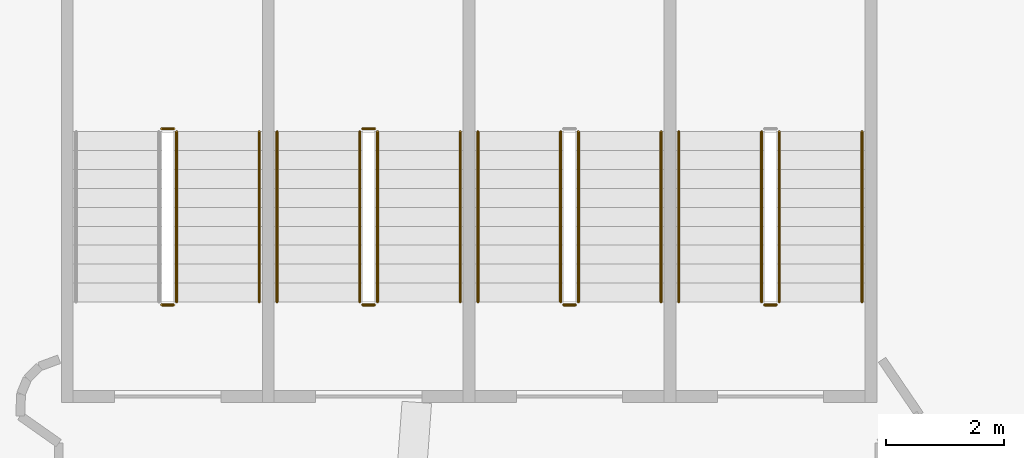
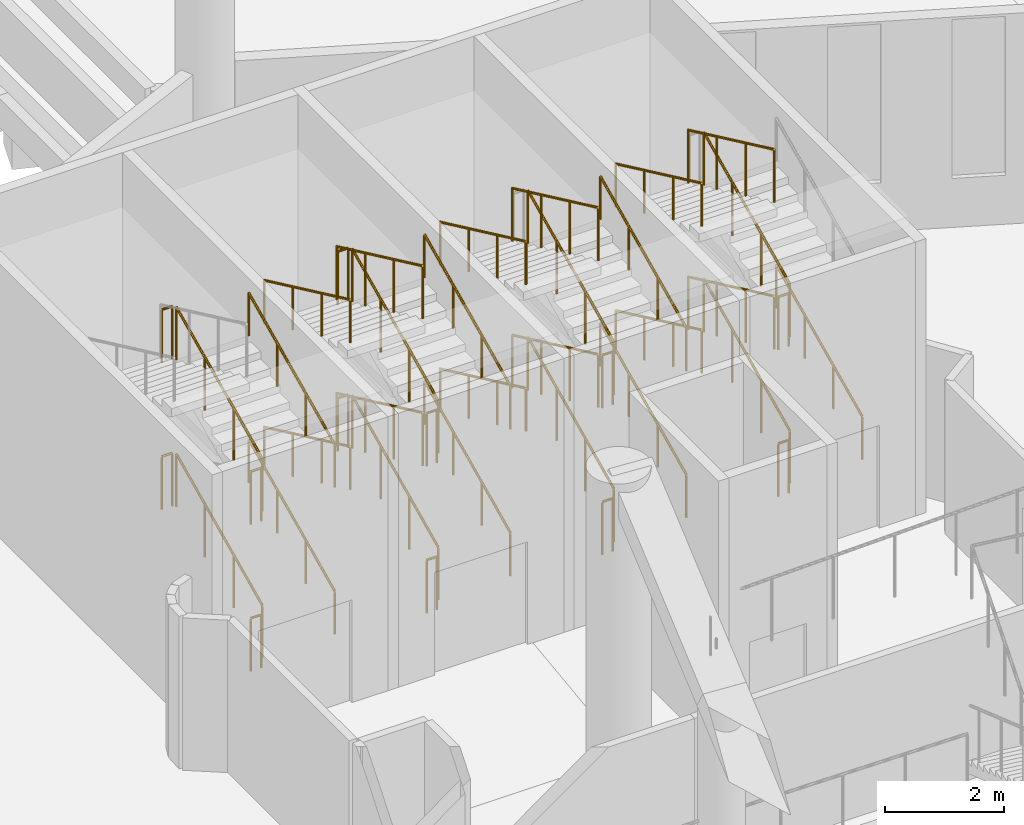
# One storey, part 158 of 173: 39 railings.
"""IFC4 building model written with IfcOpenShell, lengths in metres."""

from ifc_helpers import new_model, si_unit, direction, frame, origin, origin_2d, place, context, subcontext, project, spatial, circle, extrude, material, type_object, element, save


model = new_model("IFC4")

# Units and contexts
model_context = context("Model", 3, precision=1e-05, world=origin(), true_north=direction((0.0, 1.0)))
body_context = subcontext(model_context, "Body", "Model", "MODEL_VIEW")
ifc_project = project(units=[si_unit("LENGTHUNIT", "METRE"), si_unit("AREAUNIT", "SQUARE_METRE"), si_unit("VOLUMEUNIT", "CUBIC_METRE"), si_unit("PLANEANGLEUNIT", "RADIAN"), si_unit("MASSUNIT", "GRAM", prefix="KILO")], contexts=[model_context])

# Site, building, storey
site_placement = place(None, origin())
site = spatial("IfcSite", under=ifc_project, at=site_placement, CompositionType="ELEMENT")
building_placement = place(site_placement, origin())
building = spatial("IfcBuilding", under=site, at=building_placement, Name="Meseta Stadium", CompositionType="ELEMENT")
storey_placement = place(building_placement, frame((0.0, 0.0, 18.0)))
storey = spatial("IfcBuildingStorey", under=building, at=storey_placement, Name="L03", CompositionType="ELEMENT", Elevation=18.0)

# Railings
ifc_material_1 = material(Name="Steel S355", Category="steel")
railing_type_1 = type_object("IfcRailingType", Name="Stair guard 1100", PredefinedType="GUARDRAIL", material=ifc_material_1)
railing_1_placement = place(storey_placement, frame((12.916748046875, 94.89990234375, 0.14990234375)))
element("IfcRailing", 1, at=railing_1_placement, inside=storey, type_object=railing_type_1, Name="ST37 L03 guard 1", PredefinedType="GUARDRAIL", context=body_context, shape_type="SweptSolid", body=[
    extrude(circle(Radius=0.02392578125, at=origin_2d()), frame((0.0, 0.0, 1.076171875), z_axis=(0.0, 0.905454327043, 0.424443708447), x_axis=(-1.0, 0.0, 0.0)), (0.0, 0.0, 1.0), 3.180908203125),
    extrude(circle(Radius=0.02099609375, at=origin_2d()), origin(), (0.0, 0.0, 1.0), 1.052001953125),
    extrude(circle(Radius=0.02099609375, at=origin_2d()), frame((0.0, 0.9599609375, 0.449951171875)), (0.0, 0.0, 1.0), 1.052001953125),
    extrude(circle(Radius=0.02099609375, at=origin_2d()), frame((0.0, 1.920166015625, 0.900146484375)), (0.0, 0.0, 1.0), 1.052001953125),
    extrude(circle(Radius=0.02099609375, at=origin_2d()), frame((0.0, 2.880126953125, 1.35009765625)), (0.0, 0.0, 1.0), 1.052001953125),
])
railing_2_placement = place(storey_placement, frame((12.61669921875, 97.780029296875, 1.64990234375)))
element("IfcRailing", 2, at=railing_2_placement, inside=storey, type_object=railing_type_1, Name="ST37 L03 guard 3", PredefinedType="GUARDRAIL", context=body_context, shape_type="SweptSolid", body=[
    extrude(circle(Radius=0.02392578125, at=origin_2d()), frame((0.0, 0.0, 1.076171875), z_axis=(0.0, -0.905454327043, 0.424443708447), x_axis=(1.0, 0.0, 0.0)), (0.0, 0.0, 1.0), 3.180908203125),
    extrude(circle(Radius=0.02099609375, at=origin_2d()), origin(), (0.0, 0.0, 1.0), 1.052001953125),
    extrude(circle(Radius=0.02099609375, at=origin_2d()), frame((0.0, -0.9599609375, 0.449951171875)), (0.0, 0.0, 1.0), 1.052001953125),
    extrude(circle(Radius=0.02099609375, at=origin_2d()), frame((0.0, -1.920166015625, 0.900146484375)), (0.0, 0.0, 1.0), 1.052001953125),
    extrude(circle(Radius=0.02099609375, at=origin_2d()), frame((0.0, -2.880126953125, 1.35009765625)), (0.0, 0.0, 1.0), 1.052001953125),
])
railing_3_placement = place(storey_placement, frame((12.86669921875, 94.85009765625, 3.0)))
element("IfcRailing", 3, at=railing_3_placement, inside=storey, type_object=railing_type_1, Name="ST37 L03 guard 4", PredefinedType="GUARDRAIL", context=body_context, shape_type="SweptSolid", body=[
    extrude(circle(Radius=0.02392578125, at=origin_2d()), frame((0.0, 0.0, 1.076171875), z_axis=(-1.0, 0.0, 0.0), x_axis=(0.0, -1.0, 0.0)), (0.0, 0.0, 1.0), 0.199951171875),
    extrude(circle(Radius=0.02099609375, at=origin_2d()), origin(), (0.0, 0.0, 1.0), 1.052001953125),
    extrude(circle(Radius=0.02099609375, at=origin_2d()), frame((-0.199951171875, 0.0, 0.0)), (0.0, 0.0, 1.0), 1.052001953125),
])
railing_4_placement = place(storey_placement, frame((12.916748046875, 94.89990234375, 3.14990234375)))
element("IfcRailing", 4, at=railing_4_placement, inside=storey, type_object=railing_type_1, Name="ST37 L03 guard 5", PredefinedType="GUARDRAIL", context=body_context, shape_type="SweptSolid", body=[
    extrude(circle(Radius=0.02392578125, at=origin_2d()), frame((0.0, 0.0, 1.076171875), z_axis=(0.0, 0.905454327043, 0.424443708447), x_axis=(-1.0, 0.0, 0.0)), (0.0, 0.0, 1.0), 3.180908203125),
    extrude(circle(Radius=0.02099609375, at=origin_2d()), origin(), (0.0, 0.0, 1.0), 1.052001953125),
    extrude(circle(Radius=0.02099609375, at=origin_2d()), frame((0.0, 0.9599609375, 0.449951171875)), (0.0, 0.0, 1.0), 1.052001953125),
    extrude(circle(Radius=0.02099609375, at=origin_2d()), frame((0.0, 1.920166015625, 0.900146484375)), (0.0, 0.0, 1.0), 1.052001953125),
    extrude(circle(Radius=0.02099609375, at=origin_2d()), frame((0.0, 2.880126953125, 1.35009765625)), (0.0, 0.0, 1.0), 1.052001953125),
])
railing_5_placement = place(storey_placement, frame((12.61669921875, 97.780029296875, 4.64990234375)))
element("IfcRailing", 5, at=railing_5_placement, inside=storey, type_object=railing_type_1, Name="ST37 L03 guard 7", PredefinedType="GUARDRAIL", context=body_context, shape_type="SweptSolid", body=[
    extrude(circle(Radius=0.02392578125, at=origin_2d()), frame((0.0, 0.0, 1.076171875), z_axis=(0.0, -0.905454327043, 0.424443708447), x_axis=(1.0, 0.0, 0.0)), (0.0, 0.0, 1.0), 3.180908203125),
    extrude(circle(Radius=0.02099609375, at=origin_2d()), origin(), (0.0, 0.0, 1.0), 1.052001953125),
    extrude(circle(Radius=0.02099609375, at=origin_2d()), frame((0.0, -0.9599609375, 0.449951171875)), (0.0, 0.0, 1.0), 1.052001953125),
    extrude(circle(Radius=0.02099609375, at=origin_2d()), frame((0.0, -1.920166015625, 0.900146484375)), (0.0, 0.0, 1.0), 1.052001953125),
    extrude(circle(Radius=0.02099609375, at=origin_2d()), frame((0.0, -2.880126953125, 1.35009765625)), (0.0, 0.0, 1.0), 1.052001953125),
])
railing_6_placement = place(storey_placement, frame((12.86669921875, 94.85009765625, 0.0)))
element("IfcRailing", 6, at=railing_6_placement, inside=storey, type_object=railing_type_1, Name="ST37 L03 guard 8", PredefinedType="GUARDRAIL", context=body_context, shape_type="SweptSolid", body=[
    extrude(circle(Radius=0.02392578125, at=origin_2d()), frame((0.0, 0.0, 1.076171875), z_axis=(-1.0, 0.0, 0.0), x_axis=(0.0, -1.0, 0.0)), (0.0, 0.0, 1.0), 0.199951171875),
    extrude(circle(Radius=0.02099609375, at=origin_2d()), origin(), (0.0, 0.0, 1.0), 1.052001953125),
    extrude(circle(Radius=0.02099609375, at=origin_2d()), frame((-0.199951171875, 0.0, 0.0)), (0.0, 0.0, 1.0), 1.052001953125),
])
railing_7_placement = place(storey_placement, frame((9.5166015625, 94.89990234375, 0.14990234375)))
element("IfcRailing", 7, at=railing_7_placement, inside=storey, type_object=railing_type_1, Name="ST38 L03 guard 1", PredefinedType="GUARDRAIL", context=body_context, shape_type="SweptSolid", body=[
    extrude(circle(Radius=0.02392578125, at=origin_2d()), frame((0.0, 0.0, 1.076171875), z_axis=(0.0, 0.905454327043, 0.424443708447), x_axis=(-1.0, 0.0, 0.0)), (0.0, 0.0, 1.0), 3.180908203125),
    extrude(circle(Radius=0.02099609375, at=origin_2d()), origin(), (0.0, 0.0, 1.0), 1.052001953125),
    extrude(circle(Radius=0.02099609375, at=origin_2d()), frame((0.0, 0.9599609375, 0.449951171875)), (0.0, 0.0, 1.0), 1.052001953125),
    extrude(circle(Radius=0.02099609375, at=origin_2d()), frame((0.0, 1.920166015625, 0.900146484375)), (0.0, 0.0, 1.0), 1.052001953125),
    extrude(circle(Radius=0.02099609375, at=origin_2d()), frame((0.0, 2.880126953125, 1.35009765625)), (0.0, 0.0, 1.0), 1.052001953125),
])
railing_8_placement = place(storey_placement, frame((9.216552734375, 97.780029296875, 1.64990234375)))
element("IfcRailing", 8, at=railing_8_placement, inside=storey, type_object=railing_type_1, Name="ST38 L03 guard 3", PredefinedType="GUARDRAIL", context=body_context, shape_type="SweptSolid", body=[
    extrude(circle(Radius=0.02392578125, at=origin_2d()), frame((0.0, 0.0, 1.076171875), z_axis=(0.0, -0.905454327043, 0.424443708447), x_axis=(1.0, 0.0, 0.0)), (0.0, 0.0, 1.0), 3.180908203125),
    extrude(circle(Radius=0.02099609375, at=origin_2d()), origin(), (0.0, 0.0, 1.0), 1.052001953125),
    extrude(circle(Radius=0.02099609375, at=origin_2d()), frame((0.0, -0.9599609375, 0.449951171875)), (0.0, 0.0, 1.0), 1.052001953125),
    extrude(circle(Radius=0.02099609375, at=origin_2d()), frame((0.0, -1.920166015625, 0.900146484375)), (0.0, 0.0, 1.0), 1.052001953125),
    extrude(circle(Radius=0.02099609375, at=origin_2d()), frame((0.0, -2.880126953125, 1.35009765625)), (0.0, 0.0, 1.0), 1.052001953125),
])
railing_9_placement = place(storey_placement, frame((9.466552734375, 94.85009765625, 3.0)))
element("IfcRailing", 9, at=railing_9_placement, inside=storey, type_object=railing_type_1, Name="ST38 L03 guard 4", PredefinedType="GUARDRAIL", context=body_context, shape_type="SweptSolid", body=[
    extrude(circle(Radius=0.02392578125, at=origin_2d()), frame((0.0, 0.0, 1.076171875), z_axis=(-1.0, 0.0, 0.0), x_axis=(0.0, -1.0, 0.0)), (0.0, 0.0, 1.0), 0.199951171875),
    extrude(circle(Radius=0.02099609375, at=origin_2d()), origin(), (0.0, 0.0, 1.0), 1.052001953125),
    extrude(circle(Radius=0.02099609375, at=origin_2d()), frame((-0.199951171875, 0.0, 0.0)), (0.0, 0.0, 1.0), 1.052001953125),
])
railing_10_placement = place(storey_placement, frame((9.5166015625, 94.89990234375, 3.14990234375)))
element("IfcRailing", 10, at=railing_10_placement, inside=storey, type_object=railing_type_1, Name="ST38 L03 guard 5", PredefinedType="GUARDRAIL", context=body_context, shape_type="SweptSolid", body=[
    extrude(circle(Radius=0.02392578125, at=origin_2d()), frame((0.0, 0.0, 1.076171875), z_axis=(0.0, 0.905454327043, 0.424443708447), x_axis=(-1.0, 0.0, 0.0)), (0.0, 0.0, 1.0), 3.180908203125),
    extrude(circle(Radius=0.02099609375, at=origin_2d()), origin(), (0.0, 0.0, 1.0), 1.052001953125),
    extrude(circle(Radius=0.02099609375, at=origin_2d()), frame((0.0, 0.9599609375, 0.449951171875)), (0.0, 0.0, 1.0), 1.052001953125),
    extrude(circle(Radius=0.02099609375, at=origin_2d()), frame((0.0, 1.920166015625, 0.900146484375)), (0.0, 0.0, 1.0), 1.052001953125),
    extrude(circle(Radius=0.02099609375, at=origin_2d()), frame((0.0, 2.880126953125, 1.35009765625)), (0.0, 0.0, 1.0), 1.052001953125),
])
railing_11_placement = place(storey_placement, frame((9.216552734375, 97.780029296875, 4.64990234375)))
element("IfcRailing", 11, at=railing_11_placement, inside=storey, type_object=railing_type_1, Name="ST38 L03 guard 7", PredefinedType="GUARDRAIL", context=body_context, shape_type="SweptSolid", body=[
    extrude(circle(Radius=0.02392578125, at=origin_2d()), frame((0.0, 0.0, 1.076171875), z_axis=(0.0, -0.905454327043, 0.424443708447), x_axis=(1.0, 0.0, 0.0)), (0.0, 0.0, 1.0), 3.180908203125),
    extrude(circle(Radius=0.02099609375, at=origin_2d()), origin(), (0.0, 0.0, 1.0), 1.052001953125),
    extrude(circle(Radius=0.02099609375, at=origin_2d()), frame((0.0, -0.9599609375, 0.449951171875)), (0.0, 0.0, 1.0), 1.052001953125),
    extrude(circle(Radius=0.02099609375, at=origin_2d()), frame((0.0, -1.920166015625, 0.900146484375)), (0.0, 0.0, 1.0), 1.052001953125),
    extrude(circle(Radius=0.02099609375, at=origin_2d()), frame((0.0, -2.880126953125, 1.35009765625)), (0.0, 0.0, 1.0), 1.052001953125),
])
railing_12_placement = place(storey_placement, frame((9.466552734375, 94.85009765625, 0.0)))
element("IfcRailing", 12, at=railing_12_placement, inside=storey, type_object=railing_type_1, Name="ST38 L03 guard 8", PredefinedType="GUARDRAIL", context=body_context, shape_type="SweptSolid", body=[
    extrude(circle(Radius=0.02392578125, at=origin_2d()), frame((0.0, 0.0, 1.076171875), z_axis=(-1.0, 0.0, 0.0), x_axis=(0.0, -1.0, 0.0)), (0.0, 0.0, 1.0), 0.199951171875),
    extrude(circle(Radius=0.02099609375, at=origin_2d()), origin(), (0.0, 0.0, 1.0), 1.052001953125),
    extrude(circle(Radius=0.02099609375, at=origin_2d()), frame((-0.199951171875, 0.0, 0.0)), (0.0, 0.0, 1.0), 1.052001953125),
])
railing_13_placement = place(storey_placement, frame((6.11669921875, 94.89990234375, 0.14990234375)))
element("IfcRailing", 13, at=railing_13_placement, inside=storey, type_object=railing_type_1, Name="ST39 L03 guard 1", PredefinedType="GUARDRAIL", context=body_context, shape_type="SweptSolid", body=[
    extrude(circle(Radius=0.02392578125, at=origin_2d()), frame((0.0, 0.0, 1.076171875), z_axis=(0.0, 0.905454327043, 0.424443708447), x_axis=(-1.0, 0.0, 0.0)), (0.0, 0.0, 1.0), 3.180908203125),
    extrude(circle(Radius=0.02099609375, at=origin_2d()), origin(), (0.0, 0.0, 1.0), 1.052001953125),
    extrude(circle(Radius=0.02099609375, at=origin_2d()), frame((0.0, 0.9599609375, 0.449951171875)), (0.0, 0.0, 1.0), 1.052001953125),
    extrude(circle(Radius=0.02099609375, at=origin_2d()), frame((0.0, 1.920166015625, 0.900146484375)), (0.0, 0.0, 1.0), 1.052001953125),
    extrude(circle(Radius=0.02099609375, at=origin_2d()), frame((0.0, 2.880126953125, 1.35009765625)), (0.0, 0.0, 1.0), 1.052001953125),
])
railing_14_placement = place(storey_placement, frame((6.066650390625, 97.830078125, 1.5)))
element("IfcRailing", 14, at=railing_14_placement, inside=storey, type_object=railing_type_1, Name="ST39 L03 guard 2", PredefinedType="GUARDRAIL", context=body_context, shape_type="SweptSolid", body=[
    extrude(circle(Radius=0.02392578125, at=origin_2d()), frame((0.0, 0.0, 1.076171875), z_axis=(-1.0, 0.0, 0.0), x_axis=(0.0, -1.0, 0.0)), (0.0, 0.0, 1.0), 0.199951171875),
    extrude(circle(Radius=0.02099609375, at=origin_2d()), origin(), (0.0, 0.0, 1.0), 1.052001953125),
    extrude(circle(Radius=0.02099609375, at=origin_2d()), frame((-0.199951171875, 0.0, 0.0)), (0.0, 0.0, 1.0), 1.052001953125),
])
railing_15_placement = place(storey_placement, frame((5.816650390625, 97.780029296875, 1.64990234375)))
element("IfcRailing", 15, at=railing_15_placement, inside=storey, type_object=railing_type_1, Name="ST39 L03 guard 3", PredefinedType="GUARDRAIL", context=body_context, shape_type="SweptSolid", body=[
    extrude(circle(Radius=0.02392578125, at=origin_2d()), frame((0.0, 0.0, 1.076171875), z_axis=(0.0, -0.905454327043, 0.424443708447), x_axis=(1.0, 0.0, 0.0)), (0.0, 0.0, 1.0), 3.180908203125),
    extrude(circle(Radius=0.02099609375, at=origin_2d()), origin(), (0.0, 0.0, 1.0), 1.052001953125),
    extrude(circle(Radius=0.02099609375, at=origin_2d()), frame((0.0, -0.9599609375, 0.449951171875)), (0.0, 0.0, 1.0), 1.052001953125),
    extrude(circle(Radius=0.02099609375, at=origin_2d()), frame((0.0, -1.920166015625, 0.900146484375)), (0.0, 0.0, 1.0), 1.052001953125),
    extrude(circle(Radius=0.02099609375, at=origin_2d()), frame((0.0, -2.880126953125, 1.35009765625)), (0.0, 0.0, 1.0), 1.052001953125),
])
railing_16_placement = place(storey_placement, frame((6.066650390625, 94.85009765625, 3.0)))
element("IfcRailing", 16, at=railing_16_placement, inside=storey, type_object=railing_type_1, Name="ST39 L03 guard 4", PredefinedType="GUARDRAIL", context=body_context, shape_type="SweptSolid", body=[
    extrude(circle(Radius=0.02392578125, at=origin_2d()), frame((0.0, 0.0, 1.076171875), z_axis=(-1.0, 0.0, 0.0), x_axis=(0.0, -1.0, 0.0)), (0.0, 0.0, 1.0), 0.199951171875),
    extrude(circle(Radius=0.02099609375, at=origin_2d()), origin(), (0.0, 0.0, 1.0), 1.052001953125),
    extrude(circle(Radius=0.02099609375, at=origin_2d()), frame((-0.199951171875, 0.0, 0.0)), (0.0, 0.0, 1.0), 1.052001953125),
])
railing_17_placement = place(storey_placement, frame((6.11669921875, 94.89990234375, 3.14990234375)))
element("IfcRailing", 17, at=railing_17_placement, inside=storey, type_object=railing_type_1, Name="ST39 L03 guard 5", PredefinedType="GUARDRAIL", context=body_context, shape_type="SweptSolid", body=[
    extrude(circle(Radius=0.02392578125, at=origin_2d()), frame((0.0, 0.0, 1.076171875), z_axis=(0.0, 0.905454327043, 0.424443708447), x_axis=(-1.0, 0.0, 0.0)), (0.0, 0.0, 1.0), 3.180908203125),
    extrude(circle(Radius=0.02099609375, at=origin_2d()), origin(), (0.0, 0.0, 1.0), 1.052001953125),
    extrude(circle(Radius=0.02099609375, at=origin_2d()), frame((0.0, 0.9599609375, 0.449951171875)), (0.0, 0.0, 1.0), 1.052001953125),
    extrude(circle(Radius=0.02099609375, at=origin_2d()), frame((0.0, 1.920166015625, 0.900146484375)), (0.0, 0.0, 1.0), 1.052001953125),
    extrude(circle(Radius=0.02099609375, at=origin_2d()), frame((0.0, 2.880126953125, 1.35009765625)), (0.0, 0.0, 1.0), 1.052001953125),
])
railing_18_placement = place(storey_placement, frame((6.066650390625, 97.830078125, 4.5)))
element("IfcRailing", 18, at=railing_18_placement, inside=storey, type_object=railing_type_1, Name="ST39 L03 guard 6", PredefinedType="GUARDRAIL", context=body_context, shape_type="SweptSolid", body=[
    extrude(circle(Radius=0.02392578125, at=origin_2d()), frame((0.0, 0.0, 1.076171875), z_axis=(-1.0, 0.0, 0.0), x_axis=(0.0, -1.0, 0.0)), (0.0, 0.0, 1.0), 0.199951171875),
    extrude(circle(Radius=0.02099609375, at=origin_2d()), origin(), (0.0, 0.0, 1.0), 1.052001953125),
    extrude(circle(Radius=0.02099609375, at=origin_2d()), frame((-0.199951171875, 0.0, 0.0)), (0.0, 0.0, 1.0), 1.052001953125),
])
railing_19_placement = place(storey_placement, frame((5.816650390625, 97.780029296875, 4.64990234375)))
element("IfcRailing", 19, at=railing_19_placement, inside=storey, type_object=railing_type_1, Name="ST39 L03 guard 7", PredefinedType="GUARDRAIL", context=body_context, shape_type="SweptSolid", body=[
    extrude(circle(Radius=0.02392578125, at=origin_2d()), frame((0.0, 0.0, 1.076171875), z_axis=(0.0, -0.905454327043, 0.424443708447), x_axis=(1.0, 0.0, 0.0)), (0.0, 0.0, 1.0), 3.180908203125),
    extrude(circle(Radius=0.02099609375, at=origin_2d()), origin(), (0.0, 0.0, 1.0), 1.052001953125),
    extrude(circle(Radius=0.02099609375, at=origin_2d()), frame((0.0, -0.9599609375, 0.449951171875)), (0.0, 0.0, 1.0), 1.052001953125),
    extrude(circle(Radius=0.02099609375, at=origin_2d()), frame((0.0, -1.920166015625, 0.900146484375)), (0.0, 0.0, 1.0), 1.052001953125),
    extrude(circle(Radius=0.02099609375, at=origin_2d()), frame((0.0, -2.880126953125, 1.35009765625)), (0.0, 0.0, 1.0), 1.052001953125),
])
railing_20_placement = place(storey_placement, frame((6.066650390625, 94.85009765625, 0.0)))
element("IfcRailing", 20, at=railing_20_placement, inside=storey, type_object=railing_type_1, Name="ST39 L03 guard 8", PredefinedType="GUARDRAIL", context=body_context, shape_type="SweptSolid", body=[
    extrude(circle(Radius=0.02392578125, at=origin_2d()), frame((0.0, 0.0, 1.076171875), z_axis=(-1.0, 0.0, 0.0), x_axis=(0.0, -1.0, 0.0)), (0.0, 0.0, 1.0), 0.199951171875),
    extrude(circle(Radius=0.02099609375, at=origin_2d()), origin(), (0.0, 0.0, 1.0), 1.052001953125),
    extrude(circle(Radius=0.02099609375, at=origin_2d()), frame((-0.199951171875, 0.0, 0.0)), (0.0, 0.0, 1.0), 1.052001953125),
])
railing_21_placement = place(storey_placement, frame((2.716552734375, 94.89990234375, 0.14990234375)))
element("IfcRailing", 21, at=railing_21_placement, inside=storey, type_object=railing_type_1, Name="ST40 L03 guard 1", PredefinedType="GUARDRAIL", context=body_context, shape_type="SweptSolid", body=[
    extrude(circle(Radius=0.02392578125, at=origin_2d()), frame((0.0, 0.0, 1.076171875), z_axis=(0.0, 0.905454327043, 0.424443708447), x_axis=(-1.0, 0.0, 0.0)), (0.0, 0.0, 1.0), 3.180908203125),
    extrude(circle(Radius=0.02099609375, at=origin_2d()), origin(), (0.0, 0.0, 1.0), 1.052001953125),
    extrude(circle(Radius=0.02099609375, at=origin_2d()), frame((0.0, 0.9599609375, 0.449951171875)), (0.0, 0.0, 1.0), 1.052001953125),
    extrude(circle(Radius=0.02099609375, at=origin_2d()), frame((0.0, 1.920166015625, 0.900146484375)), (0.0, 0.0, 1.0), 1.052001953125),
    extrude(circle(Radius=0.02099609375, at=origin_2d()), frame((0.0, 2.880126953125, 1.35009765625)), (0.0, 0.0, 1.0), 1.052001953125),
])
for number, where, name in (
    (22, (2.666748046875, 97.830078125, 1.5), "ST40 L03 guard 2"),
    (23, (2.666748046875, 94.85009765625, 3.0), "ST40 L03 guard 4"),
):
    element("IfcRailing", number, at=place(storey_placement, frame(where)), inside=storey, type_object=railing_type_1, Name=name, PredefinedType="GUARDRAIL", context=body_context, shape_type="SweptSolid", body=[
        extrude(circle(Radius=0.02392578125, at=origin_2d()), frame((0.0, 0.0, 1.076171875), z_axis=(-1.0, 0.0, 0.0), x_axis=(0.0, -1.0, 0.0)), (0.0, 0.0, 1.0), 0.2001953125),
        extrude(circle(Radius=0.02099609375, at=origin_2d()), origin(), (0.0, 0.0, 1.0), 1.052001953125),
        extrude(circle(Radius=0.02099609375, at=origin_2d()), frame((-0.2001953125, 0.0, 0.0)), (0.0, 0.0, 1.0), 1.052001953125),
    ])
railing_22_placement = place(storey_placement, frame((2.716552734375, 94.89990234375, 3.14990234375)))
element("IfcRailing", 24, at=railing_22_placement, inside=storey, type_object=railing_type_1, Name="ST40 L03 guard 5", PredefinedType="GUARDRAIL", context=body_context, shape_type="SweptSolid", body=[
    extrude(circle(Radius=0.02392578125, at=origin_2d()), frame((0.0, 0.0, 1.076171875), z_axis=(0.0, 0.905454327043, 0.424443708447), x_axis=(-1.0, 0.0, 0.0)), (0.0, 0.0, 1.0), 3.180908203125),
    extrude(circle(Radius=0.02099609375, at=origin_2d()), origin(), (0.0, 0.0, 1.0), 1.052001953125),
    extrude(circle(Radius=0.02099609375, at=origin_2d()), frame((0.0, 0.9599609375, 0.449951171875)), (0.0, 0.0, 1.0), 1.052001953125),
    extrude(circle(Radius=0.02099609375, at=origin_2d()), frame((0.0, 1.920166015625, 0.900146484375)), (0.0, 0.0, 1.0), 1.052001953125),
    extrude(circle(Radius=0.02099609375, at=origin_2d()), frame((0.0, 2.880126953125, 1.35009765625)), (0.0, 0.0, 1.0), 1.052001953125),
])
for number, where, name in (
    (25, (2.666748046875, 97.830078125, 4.5), "ST40 L03 guard 6"),
    (26, (2.666748046875, 94.85009765625, 0.0), "ST40 L03 guard 8"),
):
    element("IfcRailing", number, at=place(storey_placement, frame(where)), inside=storey, type_object=railing_type_1, Name=name, PredefinedType="GUARDRAIL", context=body_context, shape_type="SweptSolid", body=[
        extrude(circle(Radius=0.02392578125, at=origin_2d()), frame((0.0, 0.0, 1.076171875), z_axis=(-1.0, 0.0, 0.0), x_axis=(0.0, -1.0, 0.0)), (0.0, 0.0, 1.0), 0.2001953125),
        extrude(circle(Radius=0.02099609375, at=origin_2d()), origin(), (0.0, 0.0, 1.0), 1.052001953125),
        extrude(circle(Radius=0.02099609375, at=origin_2d()), frame((-0.2001953125, 0.0, 0.0)), (0.0, 0.0, 1.0), 1.052001953125),
    ])
ifc_material_2 = material(Name="Steel S355", Category="steel")
railing_type_2 = type_object("IfcRailingType", Name="Stair handrail 900", PredefinedType="HANDRAIL", material=ifc_material_2)
railing_23_placement = place(storey_placement, frame((14.316650390625, 94.89990234375, 0.14990234375)))
element("IfcRailing", 27, at=railing_23_placement, inside=storey, type_object=railing_type_2, Name="ST37 L03 handrail 1", PredefinedType="HANDRAIL", context=body_context, shape_type="SweptSolid", body=[
    extrude(circle(Radius=0.02392578125, at=origin_2d()), frame((0.0, 0.0, 0.8759765625), z_axis=(0.0, 0.905454327043, 0.424443708447), x_axis=(-1.0, 0.0, 0.0)), (0.0, 0.0, 1.0), 3.180908203125),
    extrude(circle(Radius=0.02099609375, at=origin_2d()), origin(), (0.0, 0.0, 1.0), 0.851806640625),
    extrude(circle(Radius=0.02099609375, at=origin_2d()), frame((0.0, 0.9599609375, 0.449951171875)), (0.0, 0.0, 1.0), 0.851806640625),
    extrude(circle(Radius=0.02099609375, at=origin_2d()), frame((0.0, 1.920166015625, 0.900146484375)), (0.0, 0.0, 1.0), 0.851806640625),
    extrude(circle(Radius=0.02099609375, at=origin_2d()), frame((0.0, 2.880126953125, 1.35009765625)), (0.0, 0.0, 1.0), 0.851806640625),
])
for number, where, name in (
    (28, (11.216552734375, 97.780029296875, 1.64990234375), "ST37 L03 handrail 2"),
    (29, (11.216552734375, 97.780029296875, 4.64990234375), "ST37 L03 handrail 4"),
):
    element("IfcRailing", number, at=place(storey_placement, frame(where)), inside=storey, type_object=railing_type_2, Name=name, PredefinedType="HANDRAIL", context=body_context, shape_type="SweptSolid", body=[
        extrude(circle(Radius=0.02392578125, at=origin_2d()), frame((0.0, 0.0, 0.8759765625), z_axis=(0.0, -0.905454327043, 0.424443708447), x_axis=(1.0, 0.0, 0.0)), (0.0, 0.0, 1.0), 3.180908203125),
        extrude(circle(Radius=0.02099609375, at=origin_2d()), origin(), (0.0, 0.0, 1.0), 0.851806640625),
        extrude(circle(Radius=0.02099609375, at=origin_2d()), frame((0.0, -0.9599609375, 0.449951171875)), (0.0, 0.0, 1.0), 0.851806640625),
        extrude(circle(Radius=0.02099609375, at=origin_2d()), frame((0.0, -1.920166015625, 0.900146484375)), (0.0, 0.0, 1.0), 0.851806640625),
        extrude(circle(Radius=0.02099609375, at=origin_2d()), frame((0.0, -2.880126953125, 1.35009765625)), (0.0, 0.0, 1.0), 0.851806640625),
    ])
railing_24_placement = place(storey_placement, frame((10.916748046875, 94.89990234375, 0.14990234375)))
element("IfcRailing", 30, at=railing_24_placement, inside=storey, type_object=railing_type_2, Name="ST38 L03 handrail 1", PredefinedType="HANDRAIL", context=body_context, shape_type="SweptSolid", body=[
    extrude(circle(Radius=0.02392578125, at=origin_2d()), frame((0.0, 0.0, 0.8759765625), z_axis=(0.0, 0.905454327043, 0.424443708447), x_axis=(-1.0, 0.0, 0.0)), (0.0, 0.0, 1.0), 3.180908203125),
    extrude(circle(Radius=0.02099609375, at=origin_2d()), origin(), (0.0, 0.0, 1.0), 0.851806640625),
    extrude(circle(Radius=0.02099609375, at=origin_2d()), frame((0.0, 0.9599609375, 0.449951171875)), (0.0, 0.0, 1.0), 0.851806640625),
    extrude(circle(Radius=0.02099609375, at=origin_2d()), frame((0.0, 1.920166015625, 0.900146484375)), (0.0, 0.0, 1.0), 0.851806640625),
    extrude(circle(Radius=0.02099609375, at=origin_2d()), frame((0.0, 2.880126953125, 1.35009765625)), (0.0, 0.0, 1.0), 0.851806640625),
])
railing_25_placement = place(storey_placement, frame((7.816650390625, 97.780029296875, 1.64990234375)))
element("IfcRailing", 31, at=railing_25_placement, inside=storey, type_object=railing_type_2, Name="ST38 L03 handrail 2", PredefinedType="HANDRAIL", context=body_context, shape_type="SweptSolid", body=[
    extrude(circle(Radius=0.02392578125, at=origin_2d()), frame((0.0, 0.0, 0.8759765625), z_axis=(0.0, -0.905454327043, 0.424443708447), x_axis=(1.0, 0.0, 0.0)), (0.0, 0.0, 1.0), 3.180908203125),
    extrude(circle(Radius=0.02099609375, at=origin_2d()), origin(), (0.0, 0.0, 1.0), 0.851806640625),
    extrude(circle(Radius=0.02099609375, at=origin_2d()), frame((0.0, -0.9599609375, 0.449951171875)), (0.0, 0.0, 1.0), 0.851806640625),
    extrude(circle(Radius=0.02099609375, at=origin_2d()), frame((0.0, -1.920166015625, 0.900146484375)), (0.0, 0.0, 1.0), 0.851806640625),
    extrude(circle(Radius=0.02099609375, at=origin_2d()), frame((0.0, -2.880126953125, 1.35009765625)), (0.0, 0.0, 1.0), 0.851806640625),
])
railing_26_placement = place(storey_placement, frame((10.916748046875, 94.89990234375, 3.14990234375)))
element("IfcRailing", 32, at=railing_26_placement, inside=storey, type_object=railing_type_2, Name="ST38 L03 handrail 3", PredefinedType="HANDRAIL", context=body_context, shape_type="SweptSolid", body=[
    extrude(circle(Radius=0.02392578125, at=origin_2d()), frame((0.0, 0.0, 0.8759765625), z_axis=(0.0, 0.905454327043, 0.424443708447), x_axis=(-1.0, 0.0, 0.0)), (0.0, 0.0, 1.0), 3.180908203125),
    extrude(circle(Radius=0.02099609375, at=origin_2d()), origin(), (0.0, 0.0, 1.0), 0.851806640625),
    extrude(circle(Radius=0.02099609375, at=origin_2d()), frame((0.0, 0.9599609375, 0.449951171875)), (0.0, 0.0, 1.0), 0.851806640625),
    extrude(circle(Radius=0.02099609375, at=origin_2d()), frame((0.0, 1.920166015625, 0.900146484375)), (0.0, 0.0, 1.0), 0.851806640625),
    extrude(circle(Radius=0.02099609375, at=origin_2d()), frame((0.0, 2.880126953125, 1.35009765625)), (0.0, 0.0, 1.0), 0.851806640625),
])
railing_27_placement = place(storey_placement, frame((7.816650390625, 97.780029296875, 4.64990234375)))
element("IfcRailing", 33, at=railing_27_placement, inside=storey, type_object=railing_type_2, Name="ST38 L03 handrail 4", PredefinedType="HANDRAIL", context=body_context, shape_type="SweptSolid", body=[
    extrude(circle(Radius=0.02392578125, at=origin_2d()), frame((0.0, 0.0, 0.8759765625), z_axis=(0.0, -0.905454327043, 0.424443708447), x_axis=(1.0, 0.0, 0.0)), (0.0, 0.0, 1.0), 3.180908203125),
    extrude(circle(Radius=0.02099609375, at=origin_2d()), origin(), (0.0, 0.0, 1.0), 0.851806640625),
    extrude(circle(Radius=0.02099609375, at=origin_2d()), frame((0.0, -0.9599609375, 0.449951171875)), (0.0, 0.0, 1.0), 0.851806640625),
    extrude(circle(Radius=0.02099609375, at=origin_2d()), frame((0.0, -1.920166015625, 0.900146484375)), (0.0, 0.0, 1.0), 0.851806640625),
    extrude(circle(Radius=0.02099609375, at=origin_2d()), frame((0.0, -2.880126953125, 1.35009765625)), (0.0, 0.0, 1.0), 0.851806640625),
])
railing_28_placement = place(storey_placement, frame((7.5166015625, 94.89990234375, 0.14990234375)))
element("IfcRailing", 34, at=railing_28_placement, inside=storey, type_object=railing_type_2, Name="ST39 L03 handrail 1", PredefinedType="HANDRAIL", context=body_context, shape_type="SweptSolid", body=[
    extrude(circle(Radius=0.02392578125, at=origin_2d()), frame((0.0, 0.0, 0.8759765625), z_axis=(0.0, 0.905454327043, 0.424443708447), x_axis=(-1.0, 0.0, 0.0)), (0.0, 0.0, 1.0), 3.180908203125),
    extrude(circle(Radius=0.02099609375, at=origin_2d()), origin(), (0.0, 0.0, 1.0), 0.851806640625),
    extrude(circle(Radius=0.02099609375, at=origin_2d()), frame((0.0, 0.9599609375, 0.449951171875)), (0.0, 0.0, 1.0), 0.851806640625),
    extrude(circle(Radius=0.02099609375, at=origin_2d()), frame((0.0, 1.920166015625, 0.900146484375)), (0.0, 0.0, 1.0), 0.851806640625),
    extrude(circle(Radius=0.02099609375, at=origin_2d()), frame((0.0, 2.880126953125, 1.35009765625)), (0.0, 0.0, 1.0), 0.851806640625),
])
railing_29_placement = place(storey_placement, frame((4.416748046875, 97.780029296875, 1.64990234375)))
element("IfcRailing", 35, at=railing_29_placement, inside=storey, type_object=railing_type_2, Name="ST39 L03 handrail 2", PredefinedType="HANDRAIL", context=body_context, shape_type="SweptSolid", body=[
    extrude(circle(Radius=0.02392578125, at=origin_2d()), frame((0.0, 0.0, 0.8759765625), z_axis=(0.0, -0.905454327043, 0.424443708447), x_axis=(1.0, 0.0, 0.0)), (0.0, 0.0, 1.0), 3.180908203125),
    extrude(circle(Radius=0.02099609375, at=origin_2d()), origin(), (0.0, 0.0, 1.0), 0.851806640625),
    extrude(circle(Radius=0.02099609375, at=origin_2d()), frame((0.0, -0.9599609375, 0.449951171875)), (0.0, 0.0, 1.0), 0.851806640625),
    extrude(circle(Radius=0.02099609375, at=origin_2d()), frame((0.0, -1.920166015625, 0.900146484375)), (0.0, 0.0, 1.0), 0.851806640625),
    extrude(circle(Radius=0.02099609375, at=origin_2d()), frame((0.0, -2.880126953125, 1.35009765625)), (0.0, 0.0, 1.0), 0.851806640625),
])
railing_30_placement = place(storey_placement, frame((7.5166015625, 94.89990234375, 3.14990234375)))
element("IfcRailing", 36, at=railing_30_placement, inside=storey, type_object=railing_type_2, Name="ST39 L03 handrail 3", PredefinedType="HANDRAIL", context=body_context, shape_type="SweptSolid", body=[
    extrude(circle(Radius=0.02392578125, at=origin_2d()), frame((0.0, 0.0, 0.8759765625), z_axis=(0.0, 0.905454327043, 0.424443708447), x_axis=(-1.0, 0.0, 0.0)), (0.0, 0.0, 1.0), 3.180908203125),
    extrude(circle(Radius=0.02099609375, at=origin_2d()), origin(), (0.0, 0.0, 1.0), 0.851806640625),
    extrude(circle(Radius=0.02099609375, at=origin_2d()), frame((0.0, 0.9599609375, 0.449951171875)), (0.0, 0.0, 1.0), 0.851806640625),
    extrude(circle(Radius=0.02099609375, at=origin_2d()), frame((0.0, 1.920166015625, 0.900146484375)), (0.0, 0.0, 1.0), 0.851806640625),
    extrude(circle(Radius=0.02099609375, at=origin_2d()), frame((0.0, 2.880126953125, 1.35009765625)), (0.0, 0.0, 1.0), 0.851806640625),
])
railing_31_placement = place(storey_placement, frame((4.416748046875, 97.780029296875, 4.64990234375)))
element("IfcRailing", 37, at=railing_31_placement, inside=storey, type_object=railing_type_2, Name="ST39 L03 handrail 4", PredefinedType="HANDRAIL", context=body_context, shape_type="SweptSolid", body=[
    extrude(circle(Radius=0.02392578125, at=origin_2d()), frame((0.0, 0.0, 0.8759765625), z_axis=(0.0, -0.905454327043, 0.424443708447), x_axis=(1.0, 0.0, 0.0)), (0.0, 0.0, 1.0), 3.180908203125),
    extrude(circle(Radius=0.02099609375, at=origin_2d()), origin(), (0.0, 0.0, 1.0), 0.851806640625),
    extrude(circle(Radius=0.02099609375, at=origin_2d()), frame((0.0, -0.9599609375, 0.449951171875)), (0.0, 0.0, 1.0), 0.851806640625),
    extrude(circle(Radius=0.02099609375, at=origin_2d()), frame((0.0, -1.920166015625, 0.900146484375)), (0.0, 0.0, 1.0), 0.851806640625),
    extrude(circle(Radius=0.02099609375, at=origin_2d()), frame((0.0, -2.880126953125, 1.35009765625)), (0.0, 0.0, 1.0), 0.851806640625),
])
for number, where, name in (
    (38, (4.11669921875, 94.89990234375, 0.14990234375), "ST40 L03 handrail 1"),
    (39, (4.11669921875, 94.89990234375, 3.14990234375), "ST40 L03 handrail 3"),
):
    element("IfcRailing", number, at=place(storey_placement, frame(where)), inside=storey, type_object=railing_type_2, Name=name, PredefinedType="HANDRAIL", context=body_context, shape_type="SweptSolid", body=[
        extrude(circle(Radius=0.02392578125, at=origin_2d()), frame((0.0, 0.0, 0.8759765625), z_axis=(0.0, 0.905454327043, 0.424443708447), x_axis=(-1.0, 0.0, 0.0)), (0.0, 0.0, 1.0), 3.180908203125),
        extrude(circle(Radius=0.02099609375, at=origin_2d()), origin(), (0.0, 0.0, 1.0), 0.851806640625),
        extrude(circle(Radius=0.02099609375, at=origin_2d()), frame((0.0, 0.9599609375, 0.449951171875)), (0.0, 0.0, 1.0), 0.851806640625),
        extrude(circle(Radius=0.02099609375, at=origin_2d()), frame((0.0, 1.920166015625, 0.900146484375)), (0.0, 0.0, 1.0), 0.851806640625),
        extrude(circle(Radius=0.02099609375, at=origin_2d()), frame((0.0, 2.880126953125, 1.35009765625)), (0.0, 0.0, 1.0), 0.851806640625),
    ])

save(model, "model.ifc")
